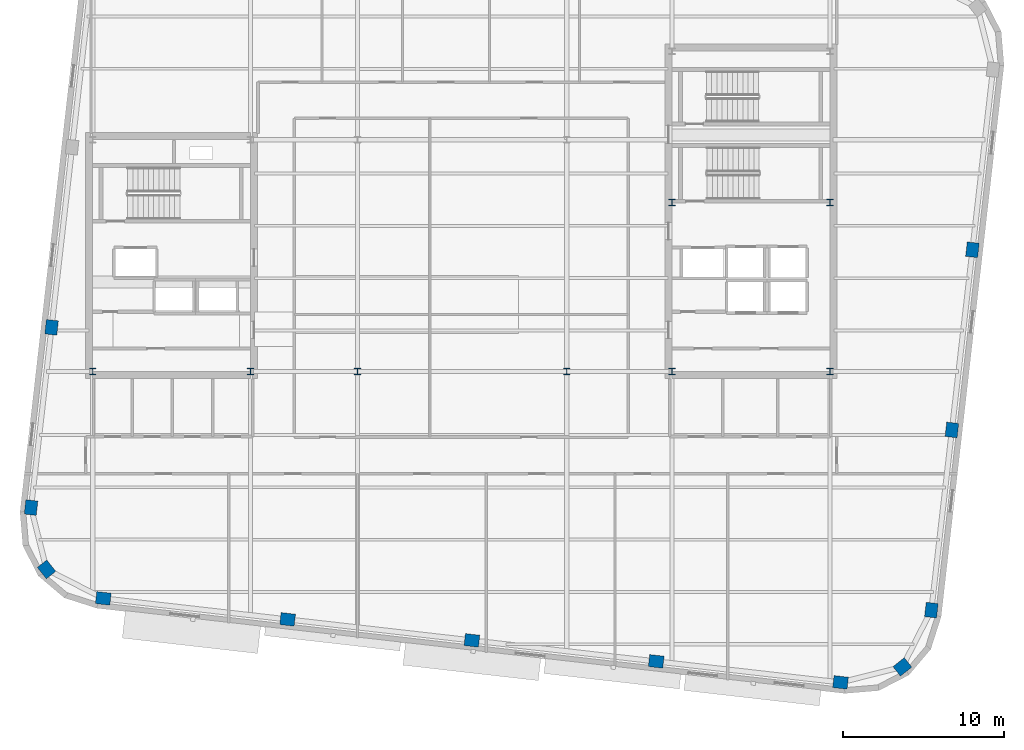
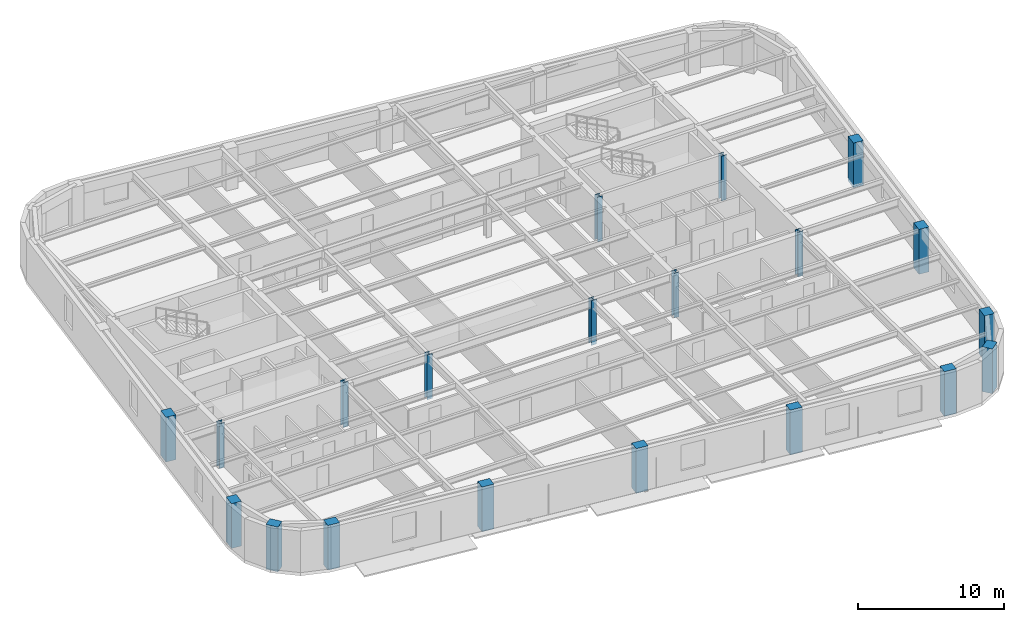
# One storey, part 1 of 13: 20 columns.
"""IFC4 building model written with IfcOpenShell, lengths in metres."""

from ifc_helpers import new_model, si_unit, direction, frame, origin, origin_2d, place, context, subcontext, project, spatial, rectangle, i_section, extrude, material, material_profile, profile_set, type_object, element, save


model = new_model("IFC4")

# Units and contexts
model_context = context("Model", 3, precision=1e-05, world=origin(), true_north=direction((0.0, 1.0)))
body_context = subcontext(model_context, "Body", "Model", "MODEL_VIEW")
ifc_project = project(units=[si_unit("LENGTHUNIT", "METRE"), si_unit("AREAUNIT", "SQUARE_METRE"), si_unit("VOLUMEUNIT", "CUBIC_METRE"), si_unit("PLANEANGLEUNIT", "RADIAN"), si_unit("MASSUNIT", "GRAM", prefix="KILO")], contexts=[model_context])

# Site, building, storey
site_placement = place(None, origin())
site = spatial("IfcSite", under=ifc_project, at=site_placement, CompositionType="ELEMENT")
building_placement = place(site_placement, origin())
building = spatial("IfcBuilding", under=site, at=building_placement, Name="Kolvaren Arena Tower", CompositionType="ELEMENT")
storey_placement = place(building_placement, frame((0.0, 0.0, 250.949951171875)))
storey = spatial("IfcBuildingStorey", under=building, at=storey_placement, Name="L61", CompositionType="ELEMENT", Elevation=250.949951171875)

# Columns
ifc_material_1 = material(Name="Precast concrete C55/67", Category="concrete")
ifc_material_profile_1 = material_profile(ifc_material_1, rectangle(XDim=0.89990234375, YDim=0.75, at=origin_2d()), Name="RC-900x750")
ifc_profile_set_1 = profile_set([ifc_material_profile_1], Name="Precast concrete C55/67")
column_type_1 = type_object("IfcColumnType", Name="EXCOL-Z4", PredefinedType="COLUMN", material=ifc_profile_set_1)
for number, where, z_axis, x_axis, name in (
    (1, (15.207763671875, 5.350830078125, -0.27001953125), (0.0, 0.0, 1.0), (0.993571855677, -0.113203213768, 0.0), "Exoskeleton Perimeter Column 01 (L61)"),
    (2, (26.65869140625, 4.046142578125, -0.27001953125), (0.0, 0.0, 1.0), (0.993571855677, -0.113203213768, 0.0), "Exoskeleton Perimeter Column 02 (L61)"),
    (3, (38.109619140625, 2.741455078125, -0.27001953125), (0.0, 0.0, 1.0), (0.993571855677, -0.113203213768, 0.0), "Exoskeleton Perimeter Column 03 (L61)"),
    (4, (49.560302734375, 1.436767578125, -0.27001953125), (0.0, 0.0, 1.0), (0.993571855677, -0.113203213768, 0.0), "Exoskeleton Perimeter Column 04 (L61)"),
    (5, (61.011474609375, 0.132080078125, -0.27001953125), (0.0, 0.0, 1.0), (0.993571855677, -0.113203213768, 0.0), "Exoskeleton Perimeter Column 05 (L61)"),
    (6, (64.853759765625, 1.094482421875, -0.27001953125), (0.0, 0.0, 1.0), (0.782608156852, 0.622514636638, 0.0), "Exoskeleton Perimeter Column 06 (L61)"),
    (7, (66.656005859375, 4.6220703125, -0.27001953125), (0.0, 0.0, 1.0), (0.113203213768, 0.993571855677, 0.0), "Exoskeleton Perimeter Column 07 (L61)"),
    (8, (67.931396484375, 15.816162109375, -0.27001953125), (0.0, 0.0, 1.0), (0.113203213768, 0.993571855677, 0.0), "Exoskeleton Perimeter Column 08 (L61)"),
    (9, (69.206787109375, 27.010498046875, -0.27001953125), (0.0, 0.0, 1.0), (0.113203213768, 0.993571855677, 0.0), "Exoskeleton Perimeter Column 09 (L61)"),
    (10, (11.9931640625, 22.189453125, -0.27001953125), (0.0, 0.0, 1.0), (0.113203213768, 0.993571855677, 0.0), "Exoskeleton Perimeter Column 20 (L61)"),
    (11, (10.7177734375, 10.995361328125, -0.27001953125), (0.0, 0.0, 1.0), (0.113203213768, 0.993571855677, 0.0), "Exoskeleton Perimeter Column 21 (L61)"),
    (12, (11.680419921875, 7.15283203125, -0.27001953125), (0.0, 0.0, 1.0), (-0.622514636638, 0.782608156852, 0.0), "Exoskeleton Perimeter Column 22 (L61)"),
):
    element("IfcColumn", number, at=place(storey_placement, frame(where, z_axis=z_axis, x_axis=x_axis)), inside=storey, type_object=column_type_1, Name=name, PredefinedType="COLUMN", context=body_context, shape_type="SweptSolid", body=[
        extrude(rectangle(XDim=0.89990234375, YDim=0.75, at=origin_2d()), origin(), (0.0, 0.0, 1.0), 3.75),
    ])
ifc_material_2 = material(Name="Steel ASTM A913 Grade 65", Category="steel")
ifc_material_profile_2 = material_profile(ifc_material_2, i_section(OverallWidth=0.39892578125, OverallDepth=0.39306640625, WebThickness=0.022705078125, FlangeThickness=0.03662109375, FilletRadius=0.02001953125, at=origin_2d()), Name="W360x287")
ifc_profile_set_2 = profile_set([ifc_material_profile_2], Name="Steel ASTM A913 Grade 65")
column_type_2 = type_object("IfcColumnType", Name="SCOL-Z4", PredefinedType="COLUMN", material=ifc_profile_set_2)
for number, where, z_axis, x_axis, name in (
    (13, (14.550048828125, 19.449951171875, -0.27001953125), (0.0, 0.0, 1.0), (1.0, 0.0, 0.0), "Core Boundary Column WC-SW (L61)"),
    (14, (24.35009765625, 19.449951171875, -0.27001953125), (0.0, 0.0, 1.0), (1.0, 0.0, 0.0), "Core Boundary Column WC-SE (L61)"),
    (15, (50.550048828125, 19.449951171875, -0.27001953125), (0.0, 0.0, 1.0), (1.0, 0.0, 0.0), "Core Boundary Column EC-SW (L61)"),
    (16, (60.35009765625, 19.449951171875, -0.27001953125), (0.0, 0.0, 1.0), (1.0, 0.0, 0.0), "Core Boundary Column EC-SE (L61)"),
    (17, (50.550048828125, 29.949951171875, -0.27001953125), (0.0, 0.0, 1.0), (1.0, 0.0, 0.0), "Core Boundary Column EC-MW (L61)"),
    (18, (60.35009765625, 29.949951171875, -0.27001953125), (0.0, 0.0, 1.0), (1.0, 0.0, 0.0), "Core Boundary Column EC-ME (L61)"),
    (19, (31.0, 19.449951171875, -0.27001953125), (0.0, 0.0, 1.0), (1.0, 0.0, 0.0), "Interior Gravity Column TC-SW (L61)"),
    (20, (44.0, 19.449951171875, -0.27001953125), (0.0, 0.0, 1.0), (1.0, 0.0, 0.0), "Interior Gravity Column TC-SE (L61)"),
):
    element("IfcColumn", number, at=place(storey_placement, frame(where, z_axis=z_axis, x_axis=x_axis)), inside=storey, type_object=column_type_2, Name=name, PredefinedType="COLUMN", context=body_context, shape_type="SweptSolid", body=[
        extrude(i_section(OverallWidth=0.39892578125, OverallDepth=0.39306640625, WebThickness=0.022705078125, FlangeThickness=0.03662109375, FilletRadius=0.02001953125, at=origin_2d()), origin(), (0.0, 0.0, 1.0), 3.75),
    ])

save(model, "model.ifc")
